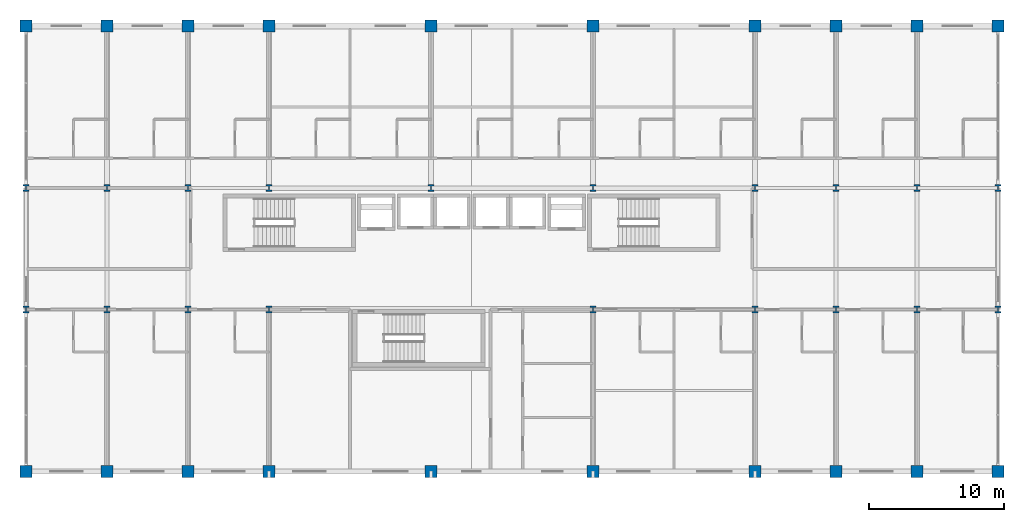
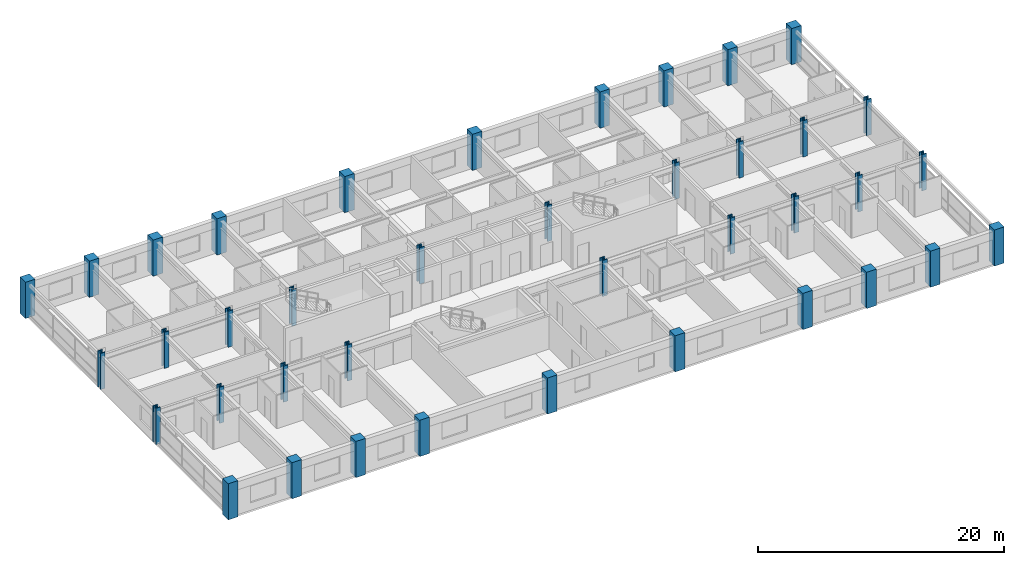
# One storey, part 1 of 22: 39 columns.
"""IFC4 building model written with IfcOpenShell, lengths in metres."""

from ifc_helpers import new_model, si_unit, direction, frame, origin, origin_2d, place, context, subcontext, project, spatial, rectangle, i_section, extrude, material, material_profile, profile_set, type_object, element, save


model = new_model("IFC4")

# Units and contexts
model_context = context("Model", 3, precision=1e-05, world=origin(), true_north=direction((0.0, 1.0)))
body_context = subcontext(model_context, "Body", "Model", "MODEL_VIEW")
ifc_project = project(units=[si_unit("LENGTHUNIT", "METRE"), si_unit("AREAUNIT", "SQUARE_METRE"), si_unit("VOLUMEUNIT", "CUBIC_METRE"), si_unit("PLANEANGLEUNIT", "RADIAN"), si_unit("MASSUNIT", "GRAM", prefix="KILO")], contexts=[model_context])

# Site, building, storey
site_placement = place(None, origin())
site = spatial("IfcSite", under=ifc_project, at=site_placement, CompositionType="ELEMENT")
building_placement = place(site_placement, origin())
building = spatial("IfcBuilding", under=site, at=building_placement, Name="Kaldorvane Square Convention Centre", CompositionType="ELEMENT")
storey_placement = place(building_placement, frame((0.0, 0.0, 34.80000305175781)))
storey = spatial("IfcBuildingStorey", under=building, at=storey_placement, Name="L07", CompositionType="ELEMENT", Elevation=34.80000305175781)

# Columns
ifc_material_1 = material(Name="Concrete f'c = 55 MPa (Normalweight)", Category="concrete")
ifc_material_profile_1 = material_profile(ifc_material_1, rectangle(XDim=0.899993896484375, YDim=0.899993896484375, at=origin_2d()), Name="RC900X900")
ifc_profile_set_1 = profile_set([ifc_material_profile_1], Name="Concrete f'c = 55 MPa (Normalweight)")
column_type_1 = type_object("IfcColumnType", Name="COL-RC-900", PredefinedType="COLUMN", material=ifc_profile_set_1)
for number, where, z_axis, x_axis, name in (
    (1, (24.0, 84.0, 0.0), (0.0, 0.0, 1.0), (1.0, 0.0, 0.0), "Column CC-03 (L07)"),
    (2, (24.0, 117.0, 0.0), (0.0, 0.0, 1.0), (1.0, 0.0, 0.0), "Column CC-03 (L07)"),
    (3, (30.0, 84.0, 0.0), (0.0, 0.0, 1.0), (1.0, 0.0, 0.0), "Column CC-03 (L07)"),
    (4, (30.0, 117.0, 0.0), (0.0, 0.0, 1.0), (1.0, 0.0, 0.0), "Column CC-03 (L07)"),
    (5, (36.0, 84.0, 0.0), (0.0, 0.0, 1.0), (1.0, 0.0, 0.0), "Column CC-03 (L07)"),
    (6, (36.0, 117.0, 0.0), (0.0, 0.0, 1.0), (1.0, 0.0, 0.0), "Column CC-03 (L07)"),
    (7, (42.0, 84.0, 0.0), (0.0, 0.0, 1.0), (1.0, 0.0, 0.0), "Column CC-03 (L07)"),
    (8, (42.0, 117.0, 0.0), (0.0, 0.0, 1.0), (1.0, 0.0, 0.0), "Column CC-03 (L07)"),
    (9, (54.0, 84.0, 0.0), (0.0, 0.0, 1.0), (1.0, 0.0, 0.0), "Column CC-03 (L07)"),
    (10, (54.0, 117.0, 0.0), (0.0, 0.0, 1.0), (1.0, 0.0, 0.0), "Column CC-03 (L07)"),
    (11, (66.0, 84.0, 0.0), (0.0, 0.0, 1.0), (1.0, 0.0, 0.0), "Column CC-03 (L07)"),
    (12, (66.0, 117.0, 0.0), (0.0, 0.0, 1.0), (1.0, 0.0, 0.0), "Column CC-03 (L07)"),
    (13, (78.0, 84.0, 0.0), (0.0, 0.0, 1.0), (1.0, 0.0, 0.0), "Column CC-03 (L07)"),
    (14, (78.0, 117.0, 0.0), (0.0, 0.0, 1.0), (1.0, 0.0, 0.0), "Column CC-03 (L07)"),
    (15, (84.0, 84.0, 0.0), (0.0, 0.0, 1.0), (1.0, 0.0, 0.0), "Column CC-03 (L07)"),
    (16, (84.0, 117.0, 0.0), (0.0, 0.0, 1.0), (1.0, 0.0, 0.0), "Column CC-03 (L07)"),
    (17, (90.0, 84.0, 0.0), (0.0, 0.0, 1.0), (1.0, 0.0, 0.0), "Column CC-03 (L07)"),
    (18, (90.0, 117.0, 0.0), (0.0, 0.0, 1.0), (1.0, 0.0, 0.0), "Column CC-03 (L07)"),
    (19, (96.0, 84.0, 0.0), (0.0, 0.0, 1.0), (1.0, 0.0, 0.0), "Column CC-03 (L07)"),
    (20, (96.0, 117.0, 0.0), (0.0, 0.0, 1.0), (1.0, 0.0, 0.0), "Column CC-03 (L07)"),
):
    element("IfcColumn", number, at=place(storey_placement, frame(where, z_axis=z_axis, x_axis=x_axis)), inside=storey, type_object=column_type_1, Name=name, PredefinedType="COLUMN", context=body_context, shape_type="SweptSolid", body=[
        extrude(rectangle(XDim=0.899993896484375, YDim=0.899993896484375, at=origin_2d()), origin(), (0.0, 0.0, 1.0), 3.5999908447265625),
    ])
ifc_material_2 = material(Name="Steel ASTM A992 Gr. 50", Category="steel")
ifc_material_profile_2 = material_profile(ifc_material_2, i_section(OverallWidth=0.432098388671875, OverallDepth=0.497802734375, WebThickness=0.05560302734375, FlangeThickness=0.088897705078125, FilletRadius=0.0305023193359375, at=origin_2d()), Name="W14X500")
ifc_profile_set_2 = profile_set([ifc_material_profile_2], Name="Steel ASTM A992 Gr. 50")
column_type_2 = type_object("IfcColumnType", Name="COL-STL-500", PredefinedType="COLUMN", material=ifc_profile_set_2)
for number, where, z_axis, x_axis, name in (
    (21, (24.0, 96.0, 0.0), (0.0, 0.0, 1.0), (1.0, 0.0, 0.0), "Column SC-03 (L07)"),
    (22, (24.0, 105.0, 0.0), (0.0, 0.0, 1.0), (1.0, 0.0, 0.0), "Column SC-03 (L07)"),
    (23, (30.0, 96.0, 0.0), (0.0, 0.0, 1.0), (1.0, 0.0, 0.0), "Column SC-03 (L07)"),
    (24, (30.0, 105.0, 0.0), (0.0, 0.0, 1.0), (1.0, 0.0, 0.0), "Column SC-03 (L07)"),
    (25, (36.0, 96.0, 0.0), (0.0, 0.0, 1.0), (1.0, 0.0, 0.0), "Column SC-03 (L07)"),
    (26, (36.0, 105.0, 0.0), (0.0, 0.0, 1.0), (1.0, 0.0, 0.0), "Column SC-03 (L07)"),
    (27, (42.0, 96.0, 0.0), (0.0, 0.0, 1.0), (1.0, 0.0, 0.0), "Column SC-03 (L07)"),
    (28, (42.0, 105.0, 0.0), (0.0, 0.0, 1.0), (1.0, 0.0, 0.0), "Column SC-03 (L07)"),
    (29, (54.0, 105.0, 0.0), (0.0, 0.0, 1.0), (1.0, 0.0, 0.0), "Column SC-03 (L07)"),
    (30, (66.0, 96.0, 0.0), (0.0, 0.0, 1.0), (1.0, 0.0, 0.0), "Column SC-03 (L07)"),
    (31, (66.0, 105.0, 0.0), (0.0, 0.0, 1.0), (1.0, 0.0, 0.0), "Column SC-03 (L07)"),
    (32, (78.0, 96.0, 0.0), (0.0, 0.0, 1.0), (1.0, 0.0, 0.0), "Column SC-03 (L07)"),
    (33, (78.0, 105.0, 0.0), (0.0, 0.0, 1.0), (1.0, 0.0, 0.0), "Column SC-03 (L07)"),
    (34, (84.0, 96.0, 0.0), (0.0, 0.0, 1.0), (1.0, 0.0, 0.0), "Column SC-03 (L07)"),
    (35, (84.0, 105.0, 0.0), (0.0, 0.0, 1.0), (1.0, 0.0, 0.0), "Column SC-03 (L07)"),
    (36, (90.0, 96.0, 0.0), (0.0, 0.0, 1.0), (1.0, 0.0, 0.0), "Column SC-03 (L07)"),
    (37, (90.0, 105.0, 0.0), (0.0, 0.0, 1.0), (1.0, 0.0, 0.0), "Column SC-03 (L07)"),
    (38, (96.0, 96.0, 0.0), (0.0, 0.0, 1.0), (1.0, 0.0, 0.0), "Column SC-03 (L07)"),
    (39, (96.0, 105.0, 0.0), (0.0, 0.0, 1.0), (1.0, 0.0, 0.0), "Column SC-03 (L07)"),
):
    element("IfcColumn", number, at=place(storey_placement, frame(where, z_axis=z_axis, x_axis=x_axis)), inside=storey, type_object=column_type_2, Name=name, PredefinedType="COLUMN", context=body_context, shape_type="SweptSolid", body=[
        extrude(i_section(OverallWidth=0.432098388671875, OverallDepth=0.497802734375, WebThickness=0.05560302734375, FlangeThickness=0.088897705078125, FilletRadius=0.0305023193359375, at=origin_2d()), origin(), (0.0, 0.0, 1.0), 3.5999908447265625),
    ])

save(model, "model.ifc")
